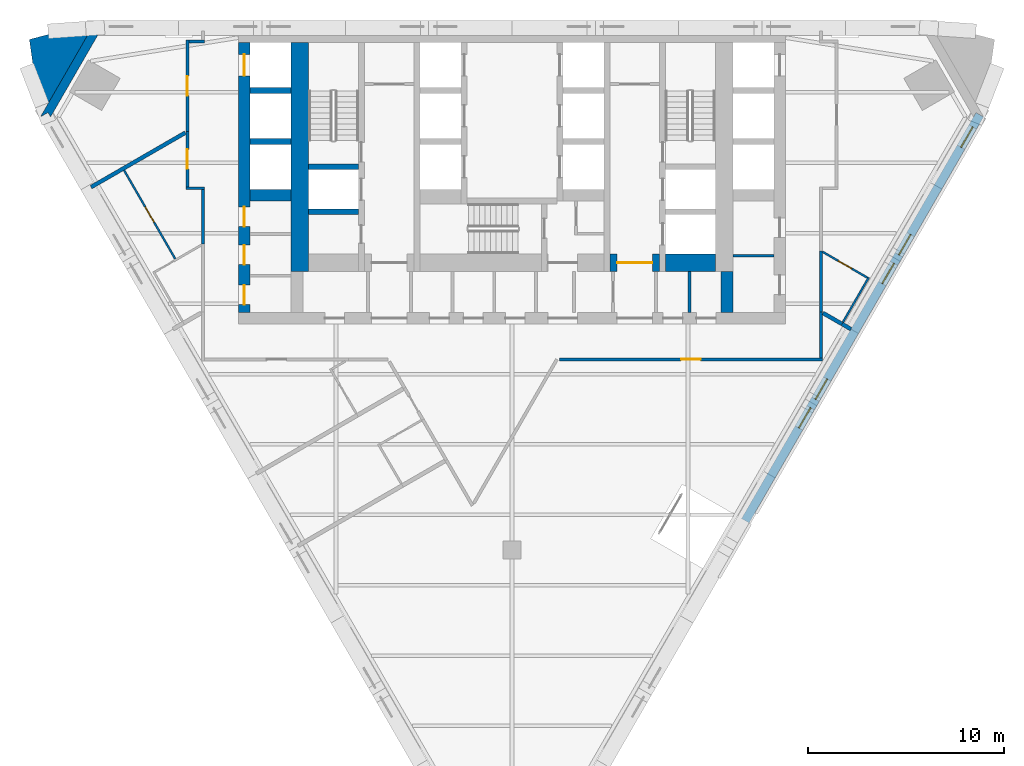
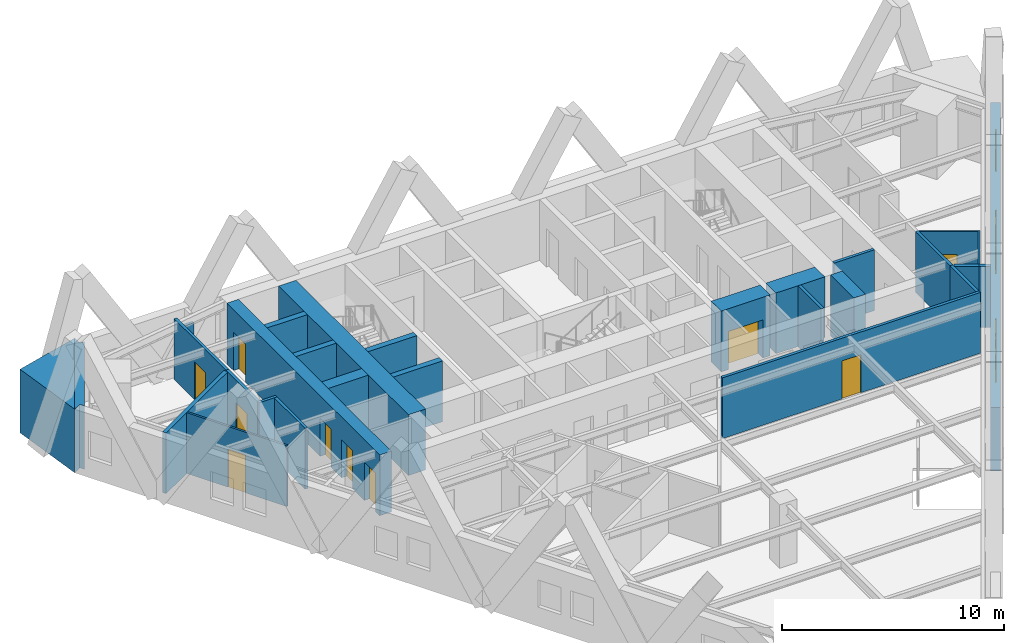
# One storey, part 6 of 10: 29 walls, 10 doors, 5 windows, 15 openings.
"""IFC4 building model written with IfcOpenShell, lengths in metres."""

from ifc_helpers import new_model, si_unit, direction, frame, frame_2d, origin, place, context, subcontext, project, spatial, polyline, rectangle, outline, extrude, material, layer, layer_set, type_object, element, fill, save


model = new_model("IFC4")

# Units and contexts
model_context = context("Model", 3, precision=1e-05, world=origin(), true_north=direction((0.0, 1.0)))
body_context = subcontext(model_context, "Body", "Model", "MODEL_VIEW")
ifc_project = project(units=[si_unit("LENGTHUNIT", "METRE"), si_unit("AREAUNIT", "SQUARE_METRE"), si_unit("VOLUMEUNIT", "CUBIC_METRE"), si_unit("PLANEANGLEUNIT", "RADIAN"), si_unit("MASSUNIT", "GRAM", prefix="KILO")], contexts=[model_context])

# Site, building, storey
site_placement = place(None, origin())
site = spatial("IfcSite", under=ifc_project, at=site_placement, CompositionType="ELEMENT")
building_placement = place(site_placement, origin())
building = spatial("IfcBuilding", under=site, at=building_placement, Name="Aloe Facet Convention Tower", CompositionType="ELEMENT")
storey_placement = place(building_placement, frame((0.0, 0.0, 116.800048828125)))
storey = spatial("IfcBuildingStorey", under=building, at=storey_placement, Name="L29", CompositionType="ELEMENT", Elevation=116.800048828125)

# Walls
ifc_material_1 = material(Name="Concrete blockwork partition", Category="masonry")
ifc_layer_1 = layer(ifc_material_1, 0.14990234375)
ifc_layer_set_1 = layer_set([ifc_layer_1], Name="CR-W-PART150")
wall_type_1 = type_object("IfcWallType", Name="CR-W-PART150", PredefinedType="PARTITIONING", material=ifc_layer_set_1)
wall_1_placement = place(storey_placement, frame((89.074951171875, 122.25, 0.0), z_axis=(0.0, 0.0, 1.0), x_axis=(0.0, -1.0, 0.0)))
element("IfcWall", 1, at=wall_1_placement, inside=storey, type_object=wall_type_1, Name="Core partition L29-047", PredefinedType="PARTITIONING", context=body_context, shape_type="SweptSolid", body=[
    extrude(rectangle(XDim=2.10009765625, YDim=0.14990234375, at=frame_2d((1.050048828125, 0.0))), origin(), (0.0, 0.0, 1.0), 3.349853515625),
])
wall_2_placement = place(storey_placement, frame((91.300048828125, 123.048583984375, 0.0), z_axis=(0.0, 0.0, 1.0), x_axis=(1.0, 0.0, 0.0)))
element("IfcWall", 2, at=wall_2_placement, inside=storey, type_object=wall_type_1, Name="Core partition L29-053", PredefinedType="PARTITIONING", context=body_context, shape_type="SweptSolid", body=[
    extrude(rectangle(XDim=2.099853515625, YDim=0.14990234375, at=frame_2d((1.0498046875, 0.0))), origin(), (0.0, 0.0, 1.0), 3.349853515625),
])
ifc_material_2 = material(Name="Concrete C70/85", Category="concrete")
ifc_layer_2 = layer(ifc_material_2, 0.300048828125)
ifc_layer_set_2 = layer_set([ifc_layer_2], Name="CR-W-RC300-C7085")
wall_type_2 = type_object("IfcWallType", Name="CR-W-RC300-C7085", PredefinedType="SOLIDWALL", material=ifc_layer_set_2)
for number, where, z_axis, x_axis, name in (
    (3, (66.60009765625, 131.5, 0.0), (0.0, 0.0, 1.0), (1.0, 0.0, 0.0), "Core wall L29-004"),
    (4, (66.60009765625, 128.89990234375, 0.0), (0.0, 0.0, 1.0), (1.0, 0.0, 0.0), "Core wall L29-005"),
):
    element("IfcWall", number, at=place(storey_placement, frame(where, z_axis=z_axis, x_axis=x_axis)), inside=storey, type_object=wall_type_2, Name=name, PredefinedType="SOLIDWALL", context=body_context, shape_type="SweptSolid", body=[
        extrude(rectangle(XDim=2.099853515625, YDim=0.300048828125, at=frame_2d((1.0498046875, 0.0))), origin(), (0.0, 0.0, 1.0), 3.349853515625),
    ])
for number, where, z_axis, x_axis, name in (
    (5, (69.60009765625, 127.60009765625, 0.0), (0.0, 0.0, 1.0), (1.0, 0.0, 0.0), "Core wall L29-011"),
    (6, (69.60009765625, 125.300048828125, 0.0), (0.0, 0.0, 1.0), (1.0, 0.0, 0.0), "Core wall L29-012"),
):
    element("IfcWall", number, at=place(storey_placement, frame(where, z_axis=z_axis, x_axis=x_axis)), inside=storey, type_object=wall_type_2, Name=name, PredefinedType="SOLIDWALL", context=body_context, shape_type="SweptSolid", body=[
        extrude(rectangle(XDim=2.5498046875, YDim=0.300048828125, at=frame_2d((1.27490234375, 0.0))), origin(), (0.0, 0.0, 1.0), 3.349853515625),
    ])

# Wall, openings, doors
ifc_material_3 = material(Name="Concrete C70/85", Category="concrete")
ifc_layer_3 = layer(ifc_material_3, 0.60009765625)
ifc_layer_set_3 = layer_set([ifc_layer_3], Name="CR-W-RC600-C7085")
wall_type_3 = type_object("IfcWallType", Name="CR-W-RC600-C7085", PredefinedType="SOLIDWALL", material=ifc_layer_set_3)
wall_3_placement = place(storey_placement, frame((66.300048828125, 133.949951171875, 0.0), z_axis=(0.0, 0.0, 1.0), x_axis=(0.0, -1.0, 0.0)))
wall_3 = element("IfcWall", 7, at=wall_3_placement, inside=storey, type_object=wall_type_3, Name="Core wall L29-002", PredefinedType="SOLIDWALL", context=body_context, shape_type="SweptSolid", body=[
    extrude(rectangle(XDim=13.800048828125, YDim=0.60009765625, at=frame_2d((6.89990234375, 0.0))), origin(), (0.0, 0.0, 1.0), 3.349853515625),
])
opening_1_placement = place(wall_3_placement, frame((0.60009765625, 0.0, 0.0)))
opening_1 = element("IfcOpeningElement", 8, at=opening_1_placement, cuts=wall_3, Name="Opening LD-A7-L29", PredefinedType="OPENING", context=body_context, shape_type="SweptSolid", body=[
    extrude(rectangle(XDim=1.10009765625, YDim=2.10009765625, at=frame_2d((0.550048828125, 1.050048828125))), frame((0.0, 0.31005859375, 0.0), z_axis=(0.0, -1.0, 0.0), x_axis=(1.0, 0.0, 0.0)), (0.0, 0.0, 1.0), 0.6201171875),
])
opening_2_placement = place(wall_3_placement, frame((8.4052734375, 0.0, 0.0)))
opening_2 = element("IfcOpeningElement", 9, at=opening_2_placement, cuts=wall_3, Name="Opening L29-CD34", PredefinedType="OPENING", context=body_context, shape_type="SweptSolid", body=[
    extrude(rectangle(XDim=1.0, YDim=2.10009765625, at=frame_2d((0.5, 1.050048828125))), frame((0.0, 0.31005859375, 0.0), z_axis=(0.0, -1.0, 0.0), x_axis=(1.0, 0.0, 0.0)), (0.0, 0.0, 1.0), 0.6201171875),
])
opening_3_placement = place(wall_3_placement, frame((10.355224609375, 0.0, 0.0)))
opening_3 = element("IfcOpeningElement", 10, at=opening_3_placement, cuts=wall_3, Name="Opening L29-CD35", PredefinedType="OPENING", context=body_context, shape_type="SweptSolid", body=[
    extrude(rectangle(XDim=1.0, YDim=2.10009765625, at=frame_2d((0.5, 1.050048828125))), frame((0.0, 0.31005859375, 0.0), z_axis=(0.0, -1.0, 0.0), x_axis=(1.0, 0.0, 0.0)), (0.0, 0.0, 1.0), 0.6201171875),
])
opening_4_placement = place(wall_3_placement, frame((12.39990234375, 0.0, 0.0)))
opening_4 = element("IfcOpeningElement", 11, at=opening_4_placement, cuts=wall_3, Name="Opening L29-CD36", PredefinedType="OPENING", context=body_context, shape_type="SweptSolid", body=[
    extrude(rectangle(XDim=1.0, YDim=2.10009765625, at=frame_2d((0.5, 1.050048828125))), frame((0.0, 0.31005859375, 0.0), z_axis=(0.0, -1.0, 0.0), x_axis=(1.0, 0.0, 0.0)), (0.0, 0.0, 1.0), 0.6201171875),
])
ifc_material_4 = material(Name="Steel fire-resisting door set FD60", Category="steel")
door_type_1 = type_object("IfcDoorType", Name="CR-D-ROOM-1000-FD60-SLEFT", OperationType="SINGLE_SWING_LEFT", PredefinedType="DOOR", material=ifc_material_4)
door_1_placement = place(opening_2_placement, origin())
door_1 = element("IfcDoor", 12, at=door_1_placement, inside=storey, type_object=door_type_1, Name="Core door L29-CD34", OperationType="SINGLE_SWING_LEFT", OverallHeight=2.10009765625, OverallWidth=1.0, PredefinedType="DOOR", context=body_context, shape_type="SweptSolid", body=[
    extrude(rectangle(XDim=1.0, YDim=2.10009765625, at=frame_2d((0.5, 1.050048828125))), frame((0.0, 0.02490234375, 0.0), z_axis=(0.0, -1.0, 0.0), x_axis=(1.0, 0.0, 0.0)), (0.0, 0.0, 1.0), 0.050048828125),
])
fill(opening_2, door_1)
door_2_placement = place(opening_3_placement, origin())
door_2 = element("IfcDoor", 13, at=door_2_placement, inside=storey, type_object=door_type_1, Name="Core door L29-CD35", OperationType="SINGLE_SWING_LEFT", OverallHeight=2.10009765625, OverallWidth=1.0, PredefinedType="DOOR", context=body_context, shape_type="SweptSolid", body=[
    extrude(rectangle(XDim=1.0, YDim=2.10009765625, at=frame_2d((0.5, 1.050048828125))), frame((0.0, 0.02490234375, 0.0), z_axis=(0.0, -1.0, 0.0), x_axis=(1.0, 0.0, 0.0)), (0.0, 0.0, 1.0), 0.050048828125),
])
fill(opening_3, door_2)
door_3_placement = place(opening_4_placement, origin())
door_3 = element("IfcDoor", 14, at=door_3_placement, inside=storey, type_object=door_type_1, Name="Core door L29-CD36", OperationType="SINGLE_SWING_LEFT", OverallHeight=2.10009765625, OverallWidth=1.0, PredefinedType="DOOR", context=body_context, shape_type="SweptSolid", body=[
    extrude(rectangle(XDim=1.0, YDim=2.10009765625, at=frame_2d((0.5, 1.050048828125))), frame((0.0, 0.02490234375, 0.0), z_axis=(0.0, -1.0, 0.0), x_axis=(1.0, 0.0, 0.0)), (0.0, 0.0, 1.0), 0.050048828125),
])
fill(opening_4, door_3)
ifc_material_5 = material(Name="Stainless steel sliding landing door", Category="steel")
door_type_2 = type_object("IfcDoorType", Name="CR-LD-1100-FD60-_LEFT", OperationType="SLIDING_TO_LEFT", PredefinedType="DOOR", material=ifc_material_5)
door_4_placement = place(opening_1_placement, origin())
door_4 = element("IfcDoor", 15, at=door_4_placement, inside=storey, type_object=door_type_2, Name="Landing door A7 L29", OperationType="SLIDING_TO_LEFT", OverallHeight=2.10009765625, OverallWidth=1.10009765625, PredefinedType="DOOR", context=body_context, shape_type="SweptSolid", body=[
    extrude(rectangle(XDim=1.10009765625, YDim=2.10009765625, at=frame_2d((0.550048828125, 1.050048828125))), frame((0.0, 0.02490234375, 0.0), z_axis=(0.0, -1.0, 0.0), x_axis=(1.0, 0.0, 0.0)), (0.0, 0.0, 1.0), 0.050048828125),
])
fill(opening_1, door_4)

# Walls
wall_4_placement = place(storey_placement, frame((66.60009765625, 126.14990234375, 0.0), z_axis=(0.0, 0.0, 1.0), x_axis=(1.0, 0.0, 0.0)))
element("IfcWall", 16, at=wall_4_placement, inside=storey, type_object=wall_type_3, Name="Core wall L29-006", PredefinedType="SOLIDWALL", context=body_context, shape_type="SweptSolid", body=[
    extrude(rectangle(XDim=2.099853515625, YDim=0.60009765625, at=frame_2d((1.0498046875, 0.0))), origin(), (0.0, 0.0, 1.0), 3.349853515625),
])
wall_5_placement = place(storey_placement, frame((91.0, 122.25, 0.0), z_axis=(0.0, 0.0, 1.0), x_axis=(0.0, -1.0, 0.0)))
element("IfcWall", 17, at=wall_5_placement, inside=storey, type_object=wall_type_3, Name="Core wall L29-049", PredefinedType="SOLIDWALL", context=body_context, shape_type="SweptSolid", body=[
    extrude(rectangle(XDim=2.10009765625, YDim=0.60009765625, at=frame_2d((1.050048828125, 0.0))), origin(), (0.0, 0.0, 1.0), 3.349853515625),
])
ifc_material_6 = material(Name="Concrete C70/85", Category="concrete")
ifc_layer_4 = layer(ifc_material_6, 0.89990234375)
ifc_layer_set_4 = layer_set([ifc_layer_4], Name="CR-W-RC900-C7085")
wall_type_4 = type_object("IfcWallType", Name="CR-W-RC900-C7085", PredefinedType="SOLIDWALL", material=ifc_layer_set_4)
wall_6_placement = place(storey_placement, frame((69.14990234375, 133.949951171875, 0.0), z_axis=(0.0, 0.0, 1.0), x_axis=(0.0, -1.0, 0.0)))
element("IfcWall", 18, at=wall_6_placement, inside=storey, type_object=wall_type_4, Name="Core wall L29-009", PredefinedType="SOLIDWALL", context=body_context, shape_type="SweptSolid", body=[
    extrude(rectangle(XDim=11.699951171875, YDim=0.89990234375, at=frame_2d((5.85009765625, 0.0))), origin(), (0.0, 0.0, 1.0), 3.349853515625),
])

# Wall, opening, door
wall_7_placement = place(storey_placement, frame((85.0, 122.699951171875, 0.0), z_axis=(0.0, 0.0, 1.0), x_axis=(1.0, 0.0, 0.0)))
wall_7 = element("IfcWall", 19, at=wall_7_placement, inside=storey, type_object=wall_type_4, Name="Core wall L29-040", PredefinedType="SOLIDWALL", context=body_context, shape_type="SweptSolid", body=[
    extrude(rectangle(XDim=2.550048828125, YDim=0.89990234375, at=frame_2d((1.27490234375, 0.0))), origin(), (0.0, 0.0, 1.0), 3.349853515625),
])
opening_5_placement = place(wall_7_placement, frame((0.375, 0.0, 0.0)))
opening_5 = element("IfcOpeningElement", 20, at=opening_5_placement, cuts=wall_7, Name="Opening L29-CD13", PredefinedType="OPENING", context=body_context, shape_type="SweptSolid", body=[
    extrude(rectangle(XDim=1.800048828125, YDim=2.10009765625, at=frame_2d((0.89990234375, 1.050048828125))), frame((0.0, 0.4599609375, 0.0), z_axis=(0.0, -1.0, 0.0), x_axis=(1.0, 0.0, 0.0)), (0.0, 0.0, 1.0), 0.919921875),
])
ifc_material_7 = material(Name="Steel fire-resisting door set FD120", Category="steel")
door_type_3 = type_object("IfcDoorType", Name="CR-D-EXIT-1800-FD120-DD", OperationType="DOUBLE_DOOR_DOUBLE_SWING", PredefinedType="DOOR", material=ifc_material_7)
door_5_placement = place(opening_5_placement, origin())
door_5 = element("IfcDoor", 21, at=door_5_placement, inside=storey, type_object=door_type_3, Name="Core door L29-CD13", OperationType="DOUBLE_DOOR_DOUBLE_SWING", OverallHeight=2.10009765625, OverallWidth=1.800048828125, PredefinedType="DOOR", context=body_context, shape_type="SweptSolid", body=[
    extrude(rectangle(XDim=1.800048828125, YDim=2.10009765625, at=frame_2d((0.89990234375, 1.050048828125))), frame((0.0, 0.02490234375, 0.0), z_axis=(0.0, -1.0, 0.0), x_axis=(1.0, 0.0, 0.0)), (0.0, 0.0, 1.0), 0.050048828125),
])
fill(opening_5, door_5)

# Walls
wall_8_placement = place(storey_placement, frame((87.85009765625, 122.699951171875, 0.0), z_axis=(0.0, 0.0, 1.0), x_axis=(1.0, 0.0, 0.0)))
element("IfcWall", 22, at=wall_8_placement, inside=storey, type_object=wall_type_4, Name="Core wall L29-046", PredefinedType="SOLIDWALL", context=body_context, shape_type="SweptSolid", body=[
    extrude(rectangle(XDim=2.5498046875, YDim=0.89990234375, at=frame_2d((1.27490234375, 0.0))), origin(), (0.0, 0.0, 1.0), 3.349853515625),
])
ifc_material_8 = material(Name="Precast concrete C40/50", Category="concrete")
ifc_layer_5 = layer(ifc_material_8, 0.449951171875)
ifc_layer_set_5 = layer_set([ifc_layer_5], Name="EV-WALL-PIER")
wall_type_5 = type_object("IfcWallType", Name="EV-WALL-PIER", PredefinedType="SOLIDWALL", material=ifc_layer_set_5)
wall_9_placement = place(storey_placement, frame((0.0, 0.0, -0.150146484375)))
element("IfcWall", 23, at=wall_9_placement, inside=storey, type_object=wall_type_5, Name="EP-L29-A", PredefinedType="SOLIDWALL", context=body_context, shape_type="SweptSolid", body=[
    extrude(outline(polyline([(58.678466796875, 135.0), (58.678466796875, 134.550048828125), (58.938232421875, 134.550048828125), (56.398193359375, 130.150146484375), (56.26806640625, 130.375244140625), (55.87841796875, 130.150146484375), (58.678466796875, 135.0)])), origin(), (0.0, 0.0, 1.0), 3.5),
])
ifc_material_9 = material(Name="Precast concrete C40/50", Category="concrete")
ifc_layer_6 = layer(ifc_material_9, 3.947998046875)
ifc_layer_set_6 = layer_set([ifc_layer_6], Name="EV-WALL-SPINE")
wall_type_6 = type_object("IfcWallType", Name="EV-WALL-SPINE", PredefinedType="SOLIDWALL", material=ifc_layer_set_6)
wall_10_placement = place(storey_placement, frame((0.0, 0.0, -0.150146484375)))
element("IfcWall", 24, at=wall_10_placement, inside=storey, type_object=wall_type_6, Name="SP-NW-L29", PredefinedType="SOLIDWALL", context=body_context, shape_type="SweptSolid", body=[
    extrude(outline(polyline([(58.678466796875, 135.0), (55.3134765625, 134.110595703125), (55.87841796875, 130.150146484375), (58.678466796875, 135.0)])), origin(), (0.0, 0.0, 1.0), 3.5),
])

# Wall, openings, windows
ifc_material_10 = material(Name="Precast concrete C40/50", Category="concrete")
ifc_layer_7 = layer(ifc_material_10, 0.449951171875)
ifc_layer_set_7 = layer_set([ifc_layer_7], Name="EV-WALL-STONE")
wall_type_7 = type_object("IfcWallType", Name="EV-WALL-STONE", PredefinedType="SOLIDWALL", material=ifc_layer_set_7)
wall_11_placement = place(storey_placement, frame((91.933837890625, 109.490478515625, -0.150146484375), z_axis=(0.0, 0.0, 1.0), x_axis=(0.500002343971, 0.866024050488, 0.0)))
wall_11 = element("IfcWall", 25, at=wall_11_placement, inside=storey, type_object=wall_type_7, Name="EW-L29-E02", PredefinedType="SOLIDWALL", context=body_context, shape_type="SweptSolid", body=[
    extrude(outline(polyline([(23.98583984375, 3.5), (23.98583984375, 0.0), (0.0, 0.0), (0.0, 3.5), (23.98583984375, 3.5)])), frame((0.0, 0.22509765625, 0.0), z_axis=(0.0, -1.0, 0.0), x_axis=(1.0, 0.0, 0.0)), (0.0, 0.0, 1.0), 0.449951171875),
])
opening_6_placement = place(wall_11_placement, frame((5.478515625, 0.0, 1.050048828125)))
opening_6 = element("IfcOpeningElement", 26, at=opening_6_placement, cuts=wall_11, Name="Opening W-L29-E04", PredefinedType="OPENING", context=body_context, shape_type="SweptSolid", body=[
    extrude(rectangle(XDim=1.199951171875, YDim=1.5, at=frame_2d((0.60009765625, 0.75))), frame((0.0, 0.23486328125, 0.0), z_axis=(0.0, -1.0, 0.0), x_axis=(1.0, 0.0, 0.0)), (0.0, 0.0, 1.0), 0.469970703125),
])
opening_7_placement = place(wall_11_placement, frame((7.1787109375, 0.0, 1.050048828125)))
opening_7 = element("IfcOpeningElement", 27, at=opening_7_placement, cuts=wall_11, Name="Opening W-L29-E05", PredefinedType="OPENING", context=body_context, shape_type="SweptSolid", body=[
    extrude(rectangle(XDim=1.199951171875, YDim=1.5, at=frame_2d((0.60009765625, 0.75))), frame((0.0, 0.23486328125, 0.0), z_axis=(0.0, -1.0, 0.0), x_axis=(1.0, 0.0, 0.0)), (0.0, 0.0, 1.0), 0.469970703125),
])
opening_8_placement = place(wall_11_placement, frame((14.00732421875, 0.0, 1.050048828125)))
opening_8 = element("IfcOpeningElement", 28, at=opening_8_placement, cuts=wall_11, Name="Opening W-L29-E06", PredefinedType="OPENING", context=body_context, shape_type="SweptSolid", body=[
    extrude(rectangle(XDim=1.199951171875, YDim=1.5, at=frame_2d((0.60009765625, 0.75))), frame((0.0, 0.23486328125, 0.0), z_axis=(0.0, -1.0, 0.0), x_axis=(1.0, 0.0, 0.0)), (0.0, 0.0, 1.0), 0.469970703125),
])
opening_9_placement = place(wall_11_placement, frame((15.707275390625, 0.0, 1.050048828125)))
opening_9 = element("IfcOpeningElement", 29, at=opening_9_placement, cuts=wall_11, Name="Opening W-L29-E07", PredefinedType="OPENING", context=body_context, shape_type="SweptSolid", body=[
    extrude(rectangle(XDim=1.199951171875, YDim=1.5, at=frame_2d((0.60009765625, 0.75))), frame((0.0, 0.23486328125, 0.0), z_axis=(0.0, -1.0, 0.0), x_axis=(1.0, 0.0, 0.0)), (0.0, 0.0, 1.0), 0.469970703125),
])
opening_10_placement = place(wall_11_placement, frame((22.065185546875, 0.0, 1.050048828125)))
opening_10 = element("IfcOpeningElement", 30, at=opening_10_placement, cuts=wall_11, Name="Opening W-L29-E08", PredefinedType="OPENING", context=body_context, shape_type="SweptSolid", body=[
    extrude(rectangle(XDim=1.199951171875, YDim=1.5, at=frame_2d((0.60009765625, 0.75))), frame((0.0, 0.23486328125, 0.0), z_axis=(0.0, -1.0, 0.0), x_axis=(1.0, 0.0, 0.0)), (0.0, 0.0, 1.0), 0.469970703125),
])
ifc_material_11 = material(Name="Aluminium frame, clear double glazing", Category="aluminium")
window_type = type_object("IfcWindowType", Name="EV-WIN-H12", PartitioningType="SINGLE_PANEL", PredefinedType="WINDOW", material=ifc_material_11)
window_1_placement = place(opening_6_placement, origin())
window_1 = element("IfcWindow", 31, at=window_1_placement, inside=storey, type_object=window_type, Name="W-L29-E04", OverallHeight=1.5, OverallWidth=1.199951171875, PartitioningType="SINGLE_PANEL", PredefinedType="WINDOW", context=body_context, shape_type="SweptSolid", body=[
    extrude(rectangle(XDim=1.199951171875, YDim=1.5, at=frame_2d((0.60009765625, 0.75))), frame((0.0, 0.030029296875, 0.0), z_axis=(0.0, -1.0, 0.0), x_axis=(1.0, 0.0, 0.0)), (0.0, 0.0, 1.0), 0.06005859375),
])
fill(opening_6, window_1)
window_2_placement = place(opening_7_placement, origin())
window_2 = element("IfcWindow", 32, at=window_2_placement, inside=storey, type_object=window_type, Name="W-L29-E05", OverallHeight=1.5, OverallWidth=1.199951171875, PartitioningType="SINGLE_PANEL", PredefinedType="WINDOW", context=body_context, shape_type="SweptSolid", body=[
    extrude(rectangle(XDim=1.199951171875, YDim=1.5, at=frame_2d((0.60009765625, 0.75))), frame((0.0, 0.030029296875, 0.0), z_axis=(0.0, -1.0, 0.0), x_axis=(1.0, 0.0, 0.0)), (0.0, 0.0, 1.0), 0.06005859375),
])
fill(opening_7, window_2)
window_3_placement = place(opening_8_placement, origin())
window_3 = element("IfcWindow", 33, at=window_3_placement, inside=storey, type_object=window_type, Name="W-L29-E06", OverallHeight=1.5, OverallWidth=1.199951171875, PartitioningType="SINGLE_PANEL", PredefinedType="WINDOW", context=body_context, shape_type="SweptSolid", body=[
    extrude(rectangle(XDim=1.199951171875, YDim=1.5, at=frame_2d((0.60009765625, 0.75))), frame((0.0, 0.030029296875, 0.0), z_axis=(0.0, -1.0, 0.0), x_axis=(1.0, 0.0, 0.0)), (0.0, 0.0, 1.0), 0.06005859375),
])
fill(opening_8, window_3)
window_4_placement = place(opening_9_placement, origin())
window_4 = element("IfcWindow", 34, at=window_4_placement, inside=storey, type_object=window_type, Name="W-L29-E07", OverallHeight=1.5, OverallWidth=1.199951171875, PartitioningType="SINGLE_PANEL", PredefinedType="WINDOW", context=body_context, shape_type="SweptSolid", body=[
    extrude(rectangle(XDim=1.199951171875, YDim=1.5, at=frame_2d((0.60009765625, 0.75))), frame((0.0, 0.030029296875, 0.0), z_axis=(0.0, -1.0, 0.0), x_axis=(1.0, 0.0, 0.0)), (0.0, 0.0, 1.0), 0.06005859375),
])
fill(opening_9, window_4)
window_5_placement = place(opening_10_placement, origin())
window_5 = element("IfcWindow", 35, at=window_5_placement, inside=storey, type_object=window_type, Name="W-L29-E08", OverallHeight=1.5, OverallWidth=1.199951171875, PartitioningType="SINGLE_PANEL", PredefinedType="WINDOW", context=body_context, shape_type="SweptSolid", body=[
    extrude(rectangle(XDim=1.199951171875, YDim=1.5, at=frame_2d((0.60009765625, 0.75))), frame((0.0, 0.030029296875, 0.0), z_axis=(0.0, -1.0, 0.0), x_axis=(1.0, 0.0, 0.0)), (0.0, 0.0, 1.0), 0.06005859375),
])
fill(opening_10, window_5)

# Wall, opening, door
ifc_material_12 = material(Name="Gypsum board partition on steel studs", Category="steel")
ifc_layer_8 = layer(ifc_material_12, 0.14990234375)
ifc_layer_set_8 = layer_set([ifc_layer_8], Name="IN-W-CORR")
wall_type_8 = type_object("IfcWallType", Name="IN-W-CORR", PredefinedType="PARTITIONING", material=ifc_layer_set_8)
wall_12_placement = place(storey_placement, frame((82.427490234375, 117.75, 0.0), z_axis=(0.0, 0.0, 1.0), x_axis=(1.0, 0.0, 0.0)))
wall_12 = element("IfcWall", 36, at=wall_12_placement, inside=storey, type_object=wall_type_8, Name="Partition L29-W017", PredefinedType="PARTITIONING", context=body_context, shape_type="SweptSolid", body=[
    extrude(rectangle(XDim=13.447509765625, YDim=0.14990234375, at=frame_2d((6.7236328125, 0.0))), origin(), (0.0, 0.0, 1.0), 3.349853515625),
])
opening_11_placement = place(wall_12_placement, frame((6.223876953125, 0.0, 0.0)))
opening_11 = element("IfcOpeningElement", 37, at=opening_11_placement, cuts=wall_12, Name="Opening L29-004", PredefinedType="OPENING", context=body_context, shape_type="SweptSolid", body=[
    extrude(rectangle(XDim=1.0, YDim=2.10009765625, at=frame_2d((0.5, 1.050048828125))), frame((0.0, 0.0849609375, 0.0), z_axis=(0.0, -1.0, 0.0), x_axis=(1.0, 0.0, 0.0)), (0.0, 0.0, 1.0), 0.169921875),
])
ifc_material_13 = material(Name="Hardwood flush door FD30S", Category="wood")
door_type_4 = type_object("IfcDoorType", Name="IN-D-WIDE", OperationType="SINGLE_SWING_LEFT", PredefinedType="DOOR", material=ifc_material_13)
door_6_placement = place(opening_11_placement, origin())
door_6 = element("IfcDoor", 38, at=door_6_placement, inside=storey, type_object=door_type_4, Name="Door L29-004", OperationType="SINGLE_SWING_LEFT", OverallHeight=2.10009765625, OverallWidth=1.0, PredefinedType="DOOR", context=body_context, shape_type="SweptSolid", body=[
    extrude(rectangle(XDim=1.0, YDim=2.10009765625, at=frame_2d((0.5, 1.050048828125))), frame((0.0, 0.02490234375, 0.0), z_axis=(0.0, -1.0, 0.0), x_axis=(1.0, 0.0, 0.0)), (0.0, 0.0, 1.0), 0.050048828125),
])
fill(opening_11, door_6)

# Walls
wall_13_placement = place(storey_placement, frame((95.800048828125, 117.824951171875, 0.0), z_axis=(0.0, 0.0, 1.0), x_axis=(0.0, 1.0, 0.0)))
element("IfcWall", 39, at=wall_13_placement, inside=storey, type_object=wall_type_8, Name="Partition L29-W023", PredefinedType="PARTITIONING", context=body_context, shape_type="SweptSolid", body=[
    extrude(rectangle(XDim=2.357666015625, YDim=0.14990234375, at=frame_2d((1.1787109375, 0.0))), origin(), (0.0, 0.0, 1.0), 3.349853515625),
])
wall_14_placement = place(storey_placement, frame((95.800048828125, 120.1826171875, 0.0), z_axis=(0.0, 0.0, 1.0), x_axis=(0.0, 1.0, 0.0)))
element("IfcWall", 40, at=wall_14_placement, inside=storey, type_object=wall_type_8, Name="Partition L29-W024", PredefinedType="PARTITIONING", context=body_context, shape_type="SweptSolid", body=[
    extrude(rectangle(XDim=3.11767578125, YDim=0.14990234375, at=frame_2d((1.558837890625, 0.0))), origin(), (0.0, 0.0, 1.0), 3.349853515625),
])
wall_15_placement = place(storey_placement, frame((63.324951171875, 126.5, 0.0), z_axis=(0.0, 0.0, 1.0), x_axis=(1.0, 0.0, 0.0)))
element("IfcWall", 41, at=wall_15_placement, inside=storey, type_object=wall_type_8, Name="Partition L29-W032", PredefinedType="PARTITIONING", context=body_context, shape_type="SweptSolid", body=[
    extrude(rectangle(XDim=0.949951171875, YDim=0.14990234375, at=frame_2d((0.47509765625, 0.0))), origin(), (0.0, 0.0, 1.0), 3.349853515625),
])
wall_16_placement = place(storey_placement, frame((64.199951171875, 123.646728515625, 0.0), z_axis=(0.0, 0.0, 1.0), x_axis=(0.0, 1.0, 0.0)))
element("IfcWall", 42, at=wall_16_placement, inside=storey, type_object=wall_type_8, Name="Partition L29-W033", PredefinedType="PARTITIONING", context=body_context, shape_type="SweptSolid", body=[
    extrude(rectangle(XDim=2.7783203125, YDim=0.14990234375, at=frame_2d((1.38916015625, 0.0))), origin(), (0.0, 0.0, 1.0), 3.349853515625),
])

# Wall, opening, door
wall_17_placement = place(storey_placement, frame((63.39990234375, 126.574951171875, 0.0), z_axis=(0.0, 0.0, 1.0), x_axis=(0.0, 1.0, 0.0)))
wall_17 = element("IfcWall", 43, at=wall_17_placement, inside=storey, type_object=wall_type_8, Name="Partition L29-W038", PredefinedType="PARTITIONING", context=body_context, shape_type="SweptSolid", body=[
    extrude(rectangle(XDim=2.830810546875, YDim=0.14990234375, at=frame_2d((1.41552734375, 0.0))), origin(), (0.0, 0.0, 1.0), 3.349853515625),
])
opening_12_placement = place(wall_17_placement, frame((0.915283203125, 0.0, 0.0)))
opening_12 = element("IfcOpeningElement", 44, at=opening_12_placement, cuts=wall_17, Name="Opening L29-006", PredefinedType="OPENING", context=body_context, shape_type="SweptSolid", body=[
    extrude(rectangle(XDim=1.0, YDim=2.10009765625, at=frame_2d((0.5, 1.050048828125))), frame((0.0, 0.0849609375, 0.0), z_axis=(0.0, -1.0, 0.0), x_axis=(1.0, 0.0, 0.0)), (0.0, 0.0, 1.0), 0.169921875),
])
door_7_placement = place(opening_12_placement, origin())
door_7 = element("IfcDoor", 45, at=door_7_placement, inside=storey, type_object=door_type_4, Name="Door L29-006", OperationType="SINGLE_SWING_LEFT", OverallHeight=2.10009765625, OverallWidth=1.0, PredefinedType="DOOR", context=body_context, shape_type="SweptSolid", body=[
    extrude(rectangle(XDim=1.0, YDim=2.10009765625, at=frame_2d((0.5, 1.050048828125))), frame((0.0, 0.02490234375, 0.0), z_axis=(0.0, -1.0, 0.0), x_axis=(1.0, 0.0, 0.0)), (0.0, 0.0, 1.0), 0.050048828125),
])
fill(opening_12, door_7)

wall_18_placement = place(storey_placement, frame((63.39990234375, 129.40576171875, 0.0), z_axis=(0.0, 0.0, 1.0), x_axis=(0.0, 1.0, 0.0)))
wall_18 = element("IfcWall", 46, at=wall_18_placement, inside=storey, type_object=wall_type_8, Name="Partition L29-W040", PredefinedType="PARTITIONING", context=body_context, shape_type="SweptSolid", body=[
    extrude(rectangle(XDim=4.669189453125, YDim=0.14990234375, at=frame_2d((2.33447265625, 0.0))), origin(), (0.0, 0.0, 1.0), 3.349853515625),
])
opening_13_placement = place(wall_18_placement, frame((1.834716796875, 0.0, 0.0)))
opening_13 = element("IfcOpeningElement", 47, at=opening_13_placement, cuts=wall_18, Name="Opening L29-005", PredefinedType="OPENING", context=body_context, shape_type="SweptSolid", body=[
    extrude(rectangle(XDim=1.0, YDim=2.10009765625, at=frame_2d((0.5, 1.050048828125))), frame((0.0, 0.0849609375, 0.0), z_axis=(0.0, -1.0, 0.0), x_axis=(1.0, 0.0, 0.0)), (0.0, 0.0, 1.0), 0.169921875),
])
door_8_placement = place(opening_13_placement, origin())
door_8 = element("IfcDoor", 48, at=door_8_placement, inside=storey, type_object=door_type_4, Name="Door L29-005", OperationType="SINGLE_SWING_LEFT", OverallHeight=2.10009765625, OverallWidth=1.0, PredefinedType="DOOR", context=body_context, shape_type="SweptSolid", body=[
    extrude(rectangle(XDim=1.0, YDim=2.10009765625, at=frame_2d((0.5, 1.050048828125))), frame((0.0, 0.02490234375, 0.0), z_axis=(0.0, -1.0, 0.0), x_axis=(1.0, 0.0, 0.0)), (0.0, 0.0, 1.0), 0.050048828125),
])
fill(opening_13, door_8)

# Walls
wall_19_placement = place(storey_placement, frame((63.47509765625, 134.0, 0.0), z_axis=(0.0, 0.0, 1.0), x_axis=(1.0, 0.0, 0.0)))
element("IfcWall", 49, at=wall_19_placement, inside=storey, type_object=wall_type_8, Name="Partition L29-W041", PredefinedType="PARTITIONING", context=body_context, shape_type="SweptSolid", body=[
    extrude(rectangle(XDim=0.7998046875, YDim=0.14990234375, at=frame_2d((0.39990234375, 0.0))), origin(), (0.0, 0.0, 1.0), 2.886474609375),
])
ifc_material_14 = material(Name="Gypsum board partition on steel studs", Category="steel")
ifc_layer_9 = layer(ifc_material_14, 0.10009765625)
ifc_layer_set_9 = layer_set([ifc_layer_9], Name="IN-W-PART")
wall_type_9 = type_object("IfcWallType", Name="IN-W-PART", PredefinedType="PARTITIONING", material=ifc_layer_set_9)
wall_20_placement = place(storey_placement, frame((96.9248046875, 119.648681640625, 0.0), z_axis=(0.0, 0.0, 1.0), x_axis=(0.499993606316, 0.866029095148, 0.0)))
element("IfcWall", 50, at=wall_20_placement, inside=storey, type_object=wall_type_9, Name="Partition L29-W025", PredefinedType="PARTITIONING", context=body_context, shape_type="SweptSolid", body=[
    extrude(rectangle(XDim=2.64990234375, YDim=0.10009765625, at=frame_2d((1.324951171875, 0.0))), origin(), (0.0, 0.0, 1.0), 3.349853515625),
])

# Wall, opening, door
wall_21_placement = place(storey_placement, frame((60.1591796875, 127.419189453125, 0.0), z_axis=(0.0, 0.0, 1.0), x_axis=(0.499971765402, -0.866041704423, 0.0)))
wall_21 = element("IfcWall", 51, at=wall_21_placement, inside=storey, type_object=wall_type_9, Name="Partition L29-W027", PredefinedType="PARTITIONING", context=body_context, shape_type="SweptSolid", body=[
    extrude(rectangle(XDim=5.227294921875, YDim=0.10009765625, at=frame_2d((2.61376953125, 0.0))), origin(), (0.0, 0.0, 1.0), 3.349853515625),
])
opening_14_placement = place(wall_21_placement, frame((2.16357421875, 0.0, 0.0)))
opening_14 = element("IfcOpeningElement", 52, at=opening_14_placement, cuts=wall_21, Name="Opening L29-008", PredefinedType="OPENING", context=body_context, shape_type="SweptSolid", body=[
    extrude(rectangle(XDim=0.89990234375, YDim=2.10009765625, at=frame_2d((0.449951171875, 1.050048828125))), frame((0.0, 0.06005859375, 0.0), z_axis=(0.0, -1.0, 0.0), x_axis=(1.0, 0.0, 0.0)), (0.0, 0.0, 1.0), 0.1201171875),
])
ifc_material_15 = material(Name="Timber flush door", Category="wood")
door_type_5 = type_object("IfcDoorType", Name="IN-D-INT", OperationType="SINGLE_SWING_LEFT", PredefinedType="DOOR", material=ifc_material_15)
door_9_placement = place(opening_14_placement, origin())
door_9 = element("IfcDoor", 53, at=door_9_placement, inside=storey, type_object=door_type_5, Name="Door L29-008", OperationType="SINGLE_SWING_LEFT", OverallHeight=2.10009765625, OverallWidth=0.89990234375, PredefinedType="DOOR", context=body_context, shape_type="SweptSolid", body=[
    extrude(rectangle(XDim=0.89990234375, YDim=2.10009765625, at=frame_2d((0.449951171875, 1.050048828125))), frame((0.0, 0.02490234375, 0.0), z_axis=(0.0, -1.0, 0.0), x_axis=(1.0, 0.0, 0.0)), (0.0, 0.0, 1.0), 0.050048828125),
])
fill(opening_14, door_9)

wall_22_placement = place(storey_placement, frame((95.88232421875, 123.2529296875, 0.0), z_axis=(0.0, 0.0, 1.0), x_axis=(0.866004891035, -0.500035527442, 0.0)))
wall_22 = element("IfcWall", 54, at=wall_22_placement, inside=storey, type_object=wall_type_9, Name="Partition L29-W028", PredefinedType="PARTITIONING", context=body_context, shape_type="SweptSolid", body=[
    extrude(rectangle(XDim=2.655029296875, YDim=0.10009765625, at=frame_2d((1.32763671875, 0.0))), origin(), (0.0, 0.0, 1.0), 3.349853515625),
])
opening_15_placement = place(wall_22_placement, frame((0.927490234375, 0.0, 0.0)))
opening_15 = element("IfcOpeningElement", 55, at=opening_15_placement, cuts=wall_22, Name="Opening L29-011", PredefinedType="OPENING", context=body_context, shape_type="SweptSolid", body=[
    extrude(rectangle(XDim=0.800048828125, YDim=2.10009765625, at=frame_2d((0.39990234375, 1.050048828125))), frame((0.0, 0.06005859375, 0.0), z_axis=(0.0, -1.0, 0.0), x_axis=(1.0, 0.0, 0.0)), (0.0, 0.0, 1.0), 0.1201171875),
])
ifc_material_16 = material(Name="Timber flush door", Category="wood")
door_type_6 = type_object("IfcDoorType", Name="IN-D-BATH", OperationType="SINGLE_SWING_LEFT", PredefinedType="DOOR", material=ifc_material_16)
door_10_placement = place(opening_15_placement, origin())
door_10 = element("IfcDoor", 56, at=door_10_placement, inside=storey, type_object=door_type_6, Name="Door L29-011", OperationType="SINGLE_SWING_LEFT", OverallHeight=2.10009765625, OverallWidth=0.800048828125, PredefinedType="DOOR", context=body_context, shape_type="SweptSolid", body=[
    extrude(rectangle(XDim=0.800048828125, YDim=2.10009765625, at=frame_2d((0.39990234375, 1.050048828125))), frame((0.0, 0.02490234375, 0.0), z_axis=(0.0, -1.0, 0.0), x_axis=(1.0, 0.0, 0.0)), (0.0, 0.0, 1.0), 0.050048828125),
])
fill(opening_15, door_10)

# Walls
ifc_material_17 = material(Name="Gypsum board partition on steel studs", Category="steel")
ifc_layer_10 = layer(ifc_material_17, 0.199951171875)
ifc_layer_set_10 = layer_set([ifc_layer_10], Name="IN-W-PARTY")
wall_type_10 = type_object("IfcWallType", Name="IN-W-PARTY", PredefinedType="PARTITIONING", material=ifc_layer_set_10)
wall_23_placement = place(storey_placement, frame((95.908203125, 120.1201171875, 0.0), z_axis=(0.0, 0.0, 1.0), x_axis=(0.865999801839, -0.500044341249, 0.0)))
element("IfcWall", 57, at=wall_23_placement, inside=storey, type_object=wall_type_10, Name="Partition L29-W019", PredefinedType="PARTITIONING", context=body_context, shape_type="SweptSolid", body=[
    extrude(rectangle(XDim=1.1162109375, YDim=0.199951171875, at=frame_2d((0.55810546875, 0.0))), origin(), (0.0, 0.0, 1.0), 3.349853515625),
])
wall_24_placement = place(storey_placement, frame((96.883544921875, 119.55712890625, 0.0), z_axis=(0.0, 0.0, 1.0), x_axis=(0.866162213927, -0.499762962979, 0.0)))
element("IfcWall", 58, at=wall_24_placement, inside=storey, type_object=wall_type_10, Name="Partition L29-W020", PredefinedType="PARTITIONING", context=body_context, shape_type="SweptSolid", body=[
    extrude(rectangle(XDim=0.521728515625, YDim=0.199951171875, at=frame_2d((0.2607421875, 0.0))), origin(), (0.0, 0.0, 1.0), 3.349853515625),
])
wall_25_placement = place(storey_placement, frame((58.470947265625, 126.559814453125, 0.0), z_axis=(0.0, 0.0, 1.0), x_axis=(0.866013219245, 0.500021103647, 0.0)))
element("IfcWall", 59, at=wall_25_placement, inside=storey, type_object=wall_type_10, Name="Partition L29-W039", PredefinedType="PARTITIONING", context=body_context, shape_type="SweptSolid", body=[
    extrude(rectangle(XDim=5.566650390625, YDim=0.199951171875, at=frame_2d((2.783203125, 0.0))), origin(), (0.0, 0.0, 1.0), 3.349853515625),
])

save(model, "model.ifc")
